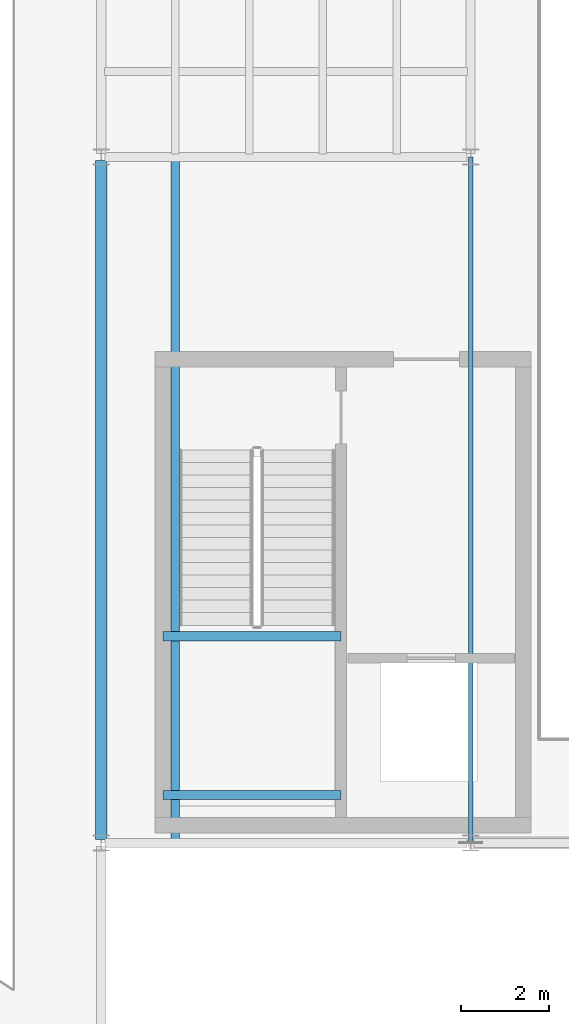
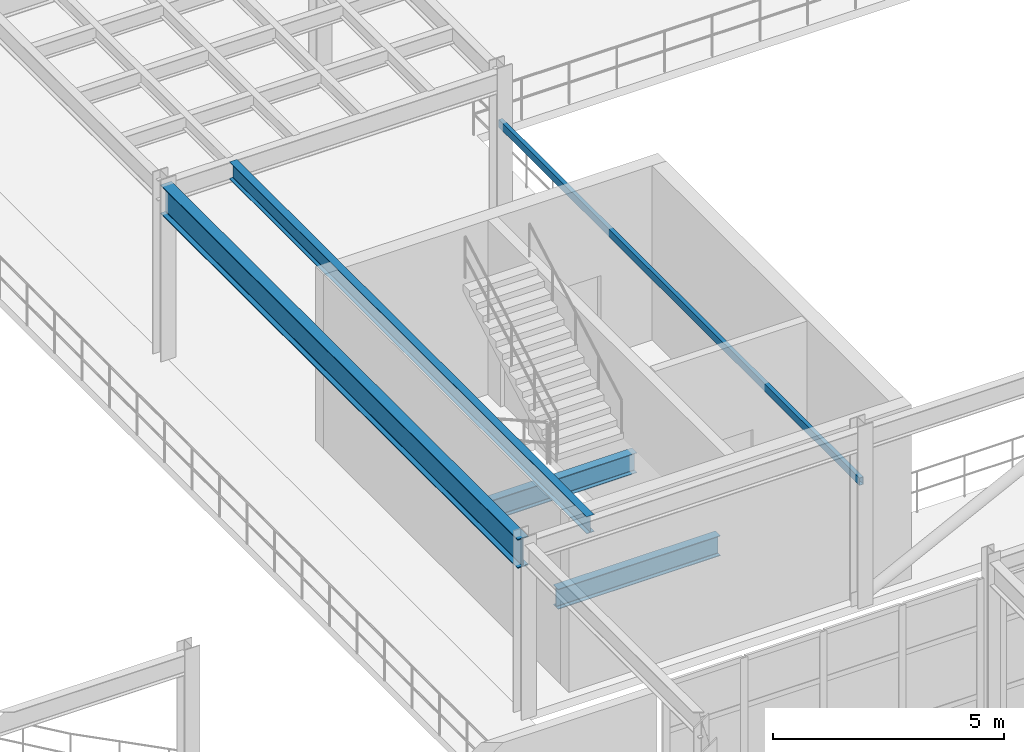
# One storey, part 31 of 105: 5 beams.
"""IFC4 building model written with IfcOpenShell, lengths in metres."""

from ifc_helpers import new_model, si_unit, direction, frame, origin, origin_2d, place, context, subcontext, project, spatial, hollow_rectangle, i_section, extrude, material, material_profile, profile_set, type_object, element, save


model = new_model("IFC4")

# Units and contexts
model_context = context("Model", 3, precision=1e-05, world=origin(), true_north=direction((0.0, 1.0)))
body_context = subcontext(model_context, "Body", "Model", "MODEL_VIEW")
ifc_project = project(units=[si_unit("LENGTHUNIT", "METRE"), si_unit("AREAUNIT", "SQUARE_METRE"), si_unit("VOLUMEUNIT", "CUBIC_METRE"), si_unit("PLANEANGLEUNIT", "RADIAN"), si_unit("MASSUNIT", "GRAM", prefix="KILO")], contexts=[model_context])

# Site, building, storey
site_placement = place(None, origin())
site = spatial("IfcSite", under=ifc_project, at=site_placement, CompositionType="ELEMENT")
building_placement = place(site_placement, origin())
building = spatial("IfcBuilding", under=site, at=building_placement, Name="Selat Folded Stagehouse", CompositionType="ELEMENT")
storey_placement = place(building_placement, frame((0.0, 0.0, 10.199951171875)))
storey = spatial("IfcBuildingStorey", under=building, at=storey_placement, Name="L02", CompositionType="ELEMENT", Elevation=10.199951171875)

# Beams
ifc_material = material(Name="Steel S355", Category="steel")
ifc_material_profile_1 = material_profile(ifc_material, i_section(OverallWidth=0.209228515625, OverallDepth=0.533203125, WebThickness=0.010009765625, FlangeThickness=0.015625, FilletRadius=0.0126953125, at=origin_2d()), Name="UKB 533x210x92")
ifc_profile_set_1 = profile_set([ifc_material_profile_1], Name="Steel S355")
beam_type_1 = type_object("IfcBeamType", Name="BM-GIRD-533x210x92", PredefinedType="BEAM", material=ifc_profile_set_1)
for number, where, z_axis, x_axis, name in (
    (1, (35.0, 24.489990234375, 1.933349609375), (1.0, 0.0, 0.0), (0.0, 1.0, 0.0), "L02 ST-01 landing support beam 1"),
    (2, (35.0, 28.10009765625, 1.933349609375), (1.0, 0.0, 0.0), (0.0, 1.0, 0.0), "L02 ST-01 landing support beam 2"),
):
    element("IfcBeam", number, at=place(storey_placement, frame(where, z_axis=z_axis, x_axis=x_axis)), inside=storey, type_object=beam_type_1, Name=name, PredefinedType="BEAM", context=body_context, shape_type="SweptSolid", body=[
        extrude(i_section(OverallWidth=0.209228515625, OverallDepth=0.533203125, WebThickness=0.010009765625, FlangeThickness=0.015625, FilletRadius=0.0126953125, at=origin_2d()), origin(), (0.0, 0.0, 1.0), 4.050048828125),
    ])
ifc_material_profile_2 = material_profile(ifc_material, i_section(OverallWidth=0.26806640625, OverallDepth=0.769775390625, WebThickness=0.015625, FlangeThickness=0.025390625, FilletRadius=0.0166015625, at=origin_2d()), Name="UKB 762x267x197")
ifc_profile_set_2 = profile_set([ifc_material_profile_2], Name="Steel S355")
beam_type_2 = type_object("IfcBeamType", Name="BM-GIRD-762x267x197", PredefinedType="BEAM", material=ifc_profile_set_2)
beam_1_placement = place(storey_placement, frame((33.60009765625, 23.47998046875, 4.215087890625), z_axis=(0.0, 1.0, 0.0), x_axis=(-1.0, 0.0, 0.0)))
element("IfcBeam", 3, at=beam_1_placement, inside=storey, type_object=beam_type_2, Name="L02 primary y-girder 1043", PredefinedType="BEAM", context=body_context, shape_type="SweptSolid", body=[
    extrude(i_section(OverallWidth=0.26806640625, OverallDepth=0.769775390625, WebThickness=0.015625, FlangeThickness=0.025390625, FilletRadius=0.0166015625, at=origin_2d()), origin(), (0.0, 0.0, 1.0), 15.43994140625),
])
ifc_material_profile_3 = material_profile(ifc_material, i_section(OverallWidth=0.18994140625, OverallDepth=0.453369140625, WebThickness=0.008544921875, FlangeThickness=0.0126953125, FilletRadius=0.01025390625, at=origin_2d()), Name="UKB 457x191x67")
ifc_profile_set_3 = profile_set([ifc_material_profile_3], Name="Steel S355")
beam_type_3 = type_object("IfcBeamType", Name="JST-457x191x67", PredefinedType="JOIST", material=ifc_profile_set_3)
beam_2_placement = place(storey_placement, frame((35.280029296875, 23.473388671875, 4.373291015625), z_axis=(0.0, 1.0, 0.0), x_axis=(-1.0, 0.0, 0.0)))
element("IfcBeam", 4, at=beam_2_placement, inside=storey, type_object=beam_type_3, Name="L02 secondary floor joist 1103", PredefinedType="JOIST", context=body_context, shape_type="SweptSolid", body=[
    extrude(i_section(OverallWidth=0.18994140625, OverallDepth=0.453369140625, WebThickness=0.008544921875, FlangeThickness=0.0126953125, FilletRadius=0.01025390625, at=origin_2d()), origin(), (0.0, 0.0, 1.0), 15.453369140625),
])
ifc_material_profile_4 = material_profile(ifc_material, hollow_rectangle(XDim=0.10009765625, YDim=0.199951171875, WallThickness=0.008056640625, at=origin_2d()), Name="RHS 200x100x8.0")
ifc_profile_set_4 = profile_set([ifc_material_profile_4], Name="Steel S355")
beam_type_4 = type_object("IfcBeamType", Name="LNT-RHS-200x100", PredefinedType="LINTEL", material=ifc_profile_set_4)
beam_3_placement = place(storey_placement, frame((42.0, 23.39990234375, 3.199951171875), z_axis=(0.0, 1.0, 0.0), x_axis=(-1.0, 0.0, 0.0)))
element("IfcBeam", 5, at=beam_3_placement, inside=storey, type_object=beam_type_4, Name="L02 structural lintel beam 08", PredefinedType="LINTEL", context=body_context, shape_type="SweptSolid", body=[
    extrude(hollow_rectangle(XDim=0.10009765625, YDim=0.199951171875, WallThickness=0.008056640625, at=origin_2d()), origin(), (0.0, 0.0, 1.0), 15.60009765625),
])

save(model, "model.ifc")
